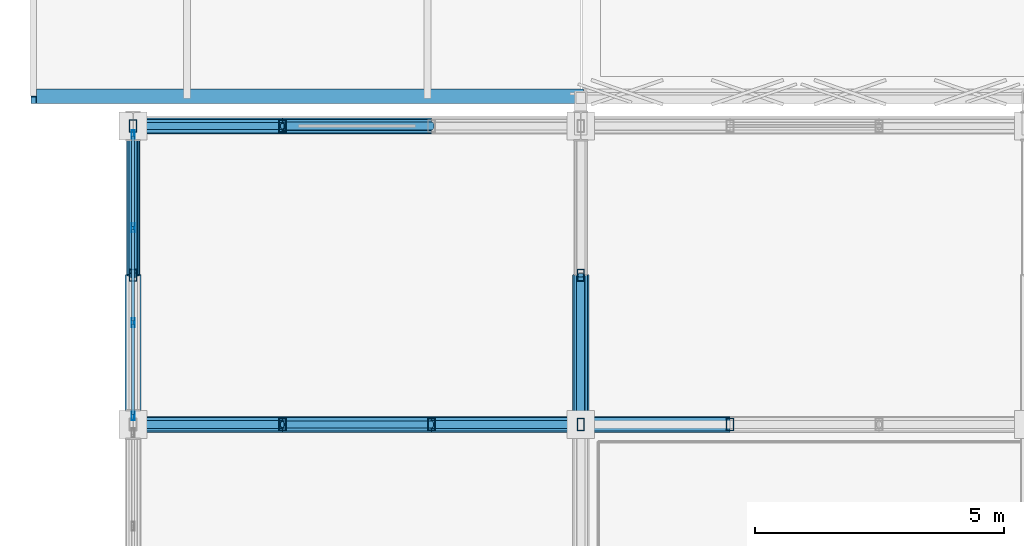
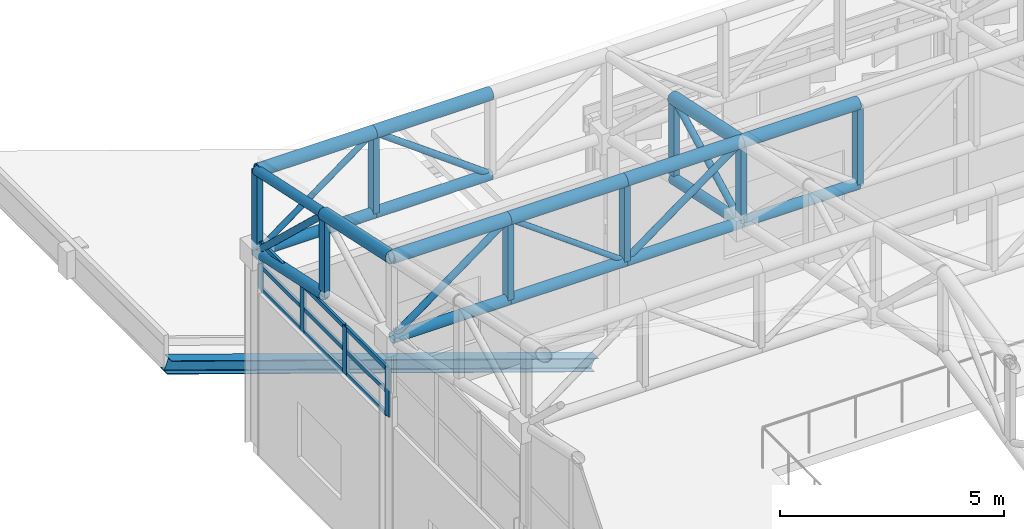
# One storey, part 17 of 112: 46 members, 1 element without a shape of its own.
"""IFC4 building model written with IfcOpenShell, lengths in metres."""

from ifc_helpers import new_model, si_unit, direction, frame, origin, origin_2d, place, context, subcontext, project, spatial, hollow_rectangle, hollow_circle, i_section, extrude, material, material_profile, profile_set, type_object, element, aggregate, save


model = new_model("IFC4")

# Units and contexts
model_context = context("Model", 3, precision=1e-05, world=origin(), true_north=direction((0.0, 1.0)))
body_context = subcontext(model_context, "Body", "Model", "MODEL_VIEW")
ifc_project = project(units=[si_unit("LENGTHUNIT", "METRE"), si_unit("AREAUNIT", "SQUARE_METRE"), si_unit("VOLUMEUNIT", "CUBIC_METRE"), si_unit("PLANEANGLEUNIT", "RADIAN"), si_unit("MASSUNIT", "GRAM", prefix="KILO")], contexts=[model_context])

# Site, building, storey
site_placement = place(None, origin())
site = spatial("IfcSite", under=ifc_project, at=site_placement, CompositionType="ELEMENT")
building_placement = place(site_placement, origin())
building = spatial("IfcBuilding", under=site, at=building_placement, Name="Kaldris Quays Convention Centre", CompositionType="ELEMENT")
storey_placement = place(building_placement, frame((0.0, 0.0, 16.800048828125)))
storey = spatial("IfcBuildingStorey", under=building, at=storey_placement, Name="L03", CompositionType="ELEMENT", Elevation=16.800048828125)

# Curtain wall, members
ifc_material_1 = material(Name="Anodized aluminium AW-6060 and triple glazing", Category="aluminium")
curtain_wall_type = type_object("IfcCurtainWallType", Name="UNITISED CURTAIN WALL CW05", PredefinedType="NOTDEFINED", material=ifc_material_1)
curtain_wall_placement = place(storey_placement, origin())
curtain_wall = element("IfcCurtainWall", 1, at=curtain_wall_placement, inside=storey, type_object=curtain_wall_type, Name="L03 Unitised Curtain Wall CW05 263", PredefinedType="NOTDEFINED")
ifc_material_2 = material(Name="Anodized aluminium AW-6060", Category="aluminium")
ifc_material_profile_1 = material_profile(ifc_material_2, hollow_rectangle(XDim=0.06005859375, YDim=0.179931640625, WallThickness=0.0048828125, at=origin_2d()), Name="RHS 180x60x5")
ifc_profile_set_1 = profile_set([ifc_material_profile_1], Name="Anodized aluminium AW-6060")
member_type_1 = type_object("IfcMemberType", Name="CURTAIN MULLION CWM2", PredefinedType="MULLION", material=ifc_profile_set_1)
member_1_placement = place(storey_placement, frame((20.0, 40.169921875, 4.39501953125), z_axis=(0.0, 0.0, 1.0), x_axis=(-1.0, 0.0, 0.0)))
member_1 = element("IfcMember", 2, at=member_1_placement, type_object=member_type_1, Name="CW05 mullion 1", PredefinedType="MULLION", context=body_context, shape_type="SweptSolid", body=[
    extrude(hollow_rectangle(XDim=0.06005859375, YDim=0.179931640625, WallThickness=0.0048828125, at=origin_2d()), origin(), (0.0, 0.0, 1.0), 1.294921875),
])
member_2_placement = place(storey_placement, frame((20.0, 42.046630859375, 4.39501953125), z_axis=(0.0, 0.0, 1.0), x_axis=(-1.0, 0.0, 0.0)))
member_2 = element("IfcMember", 3, at=member_2_placement, type_object=member_type_1, Name="CW05 mullion 2", PredefinedType="MULLION", context=body_context, shape_type="SweptSolid", body=[
    extrude(hollow_rectangle(XDim=0.06005859375, YDim=0.179931640625, WallThickness=0.0048828125, at=origin_2d()), origin(), (0.0, 0.0, 1.0), 1.294921875),
])
member_3_placement = place(storey_placement, frame((20.0, 43.953369140625, 4.39501953125), z_axis=(0.0, 0.0, 1.0), x_axis=(-1.0, 0.0, 0.0)))
member_3 = element("IfcMember", 4, at=member_3_placement, type_object=member_type_1, Name="CW05 mullion 3", PredefinedType="MULLION", context=body_context, shape_type="SweptSolid", body=[
    extrude(hollow_rectangle(XDim=0.06005859375, YDim=0.179931640625, WallThickness=0.0048828125, at=origin_2d()), origin(), (0.0, 0.0, 1.0), 1.294921875),
])
member_4_placement = place(storey_placement, frame((20.0, 45.830078125, 4.39501953125), z_axis=(0.0, 0.0, 1.0), x_axis=(-1.0, 0.0, 0.0)))
member_4 = element("IfcMember", 5, at=member_4_placement, type_object=member_type_1, Name="CW05 mullion 4", PredefinedType="MULLION", context=body_context, shape_type="SweptSolid", body=[
    extrude(hollow_rectangle(XDim=0.06005859375, YDim=0.179931640625, WallThickness=0.0048828125, at=origin_2d()), origin(), (0.0, 0.0, 1.0), 1.294921875),
])
ifc_material_profile_2 = material_profile(ifc_material_2, hollow_rectangle(XDim=0.06005859375, YDim=0.1201171875, WallThickness=0.00390625, at=origin_2d()), Name="RHS 120x60x4")
ifc_profile_set_2 = profile_set([ifc_material_profile_2], Name="Anodized aluminium AW-6060")
member_type_2 = type_object("IfcMemberType", Name="CURTAIN TRANSOM CWT1", PredefinedType="USERDEFINED", material=ifc_profile_set_2)
member_5_placement = place(storey_placement, frame((20.0, 40.199951171875, 4.425048828125), z_axis=(0.0, 1.0, 0.0), x_axis=(-1.0, 0.0, 0.0)))
member_5 = element("IfcMember", 6, at=member_5_placement, type_object=member_type_2, Name="CW05 transom 1.1", ObjectType="TRANSOM", PredefinedType="USERDEFINED", context=body_context, shape_type="SweptSolid", body=[
    extrude(hollow_rectangle(XDim=0.06005859375, YDim=0.1201171875, WallThickness=0.00390625, at=origin_2d()), origin(), (0.0, 0.0, 1.0), 1.816650390625),
])
member_6_placement = place(storey_placement, frame((20.0, 40.199951171875, 5.04296875), z_axis=(0.0, 1.0, 0.0), x_axis=(-1.0, 0.0, 0.0)))
member_6 = element("IfcMember", 7, at=member_6_placement, type_object=member_type_2, Name="CW05 transom 1.2", ObjectType="TRANSOM", PredefinedType="USERDEFINED", context=body_context, shape_type="SweptSolid", body=[
    extrude(hollow_rectangle(XDim=0.06005859375, YDim=0.1201171875, WallThickness=0.00390625, at=origin_2d()), origin(), (0.0, 0.0, 1.0), 1.816650390625),
])
member_7_placement = place(storey_placement, frame((20.0, 40.199951171875, 5.659912109375), z_axis=(0.0, 1.0, 0.0), x_axis=(-1.0, 0.0, 0.0)))
member_7 = element("IfcMember", 8, at=member_7_placement, type_object=member_type_2, Name="CW05 transom 1.3", ObjectType="TRANSOM", PredefinedType="USERDEFINED", context=body_context, shape_type="SweptSolid", body=[
    extrude(hollow_rectangle(XDim=0.06005859375, YDim=0.1201171875, WallThickness=0.00390625, at=origin_2d()), origin(), (0.0, 0.0, 1.0), 1.816650390625),
])
member_8_placement = place(storey_placement, frame((20.0, 42.07666015625, 4.425048828125), z_axis=(0.0, 1.0, 0.0), x_axis=(-1.0, 0.0, 0.0)))
member_8 = element("IfcMember", 9, at=member_8_placement, type_object=member_type_2, Name="CW05 transom 2.1", ObjectType="TRANSOM", PredefinedType="USERDEFINED", context=body_context, shape_type="SweptSolid", body=[
    extrude(hollow_rectangle(XDim=0.06005859375, YDim=0.1201171875, WallThickness=0.00390625, at=origin_2d()), origin(), (0.0, 0.0, 1.0), 1.8466796875),
])
member_9_placement = place(storey_placement, frame((20.0, 42.07666015625, 5.04296875), z_axis=(0.0, 1.0, 0.0), x_axis=(-1.0, 0.0, 0.0)))
member_9 = element("IfcMember", 10, at=member_9_placement, type_object=member_type_2, Name="CW05 transom 2.2", ObjectType="TRANSOM", PredefinedType="USERDEFINED", context=body_context, shape_type="SweptSolid", body=[
    extrude(hollow_rectangle(XDim=0.06005859375, YDim=0.1201171875, WallThickness=0.00390625, at=origin_2d()), origin(), (0.0, 0.0, 1.0), 1.8466796875),
])
member_10_placement = place(storey_placement, frame((20.0, 42.07666015625, 5.659912109375), z_axis=(0.0, 1.0, 0.0), x_axis=(-1.0, 0.0, 0.0)))
member_10 = element("IfcMember", 11, at=member_10_placement, type_object=member_type_2, Name="CW05 transom 2.3", ObjectType="TRANSOM", PredefinedType="USERDEFINED", context=body_context, shape_type="SweptSolid", body=[
    extrude(hollow_rectangle(XDim=0.06005859375, YDim=0.1201171875, WallThickness=0.00390625, at=origin_2d()), origin(), (0.0, 0.0, 1.0), 1.8466796875),
])
member_11_placement = place(storey_placement, frame((20.0, 43.9833984375, 4.425048828125), z_axis=(0.0, 1.0, 0.0), x_axis=(-1.0, 0.0, 0.0)))
member_11 = element("IfcMember", 12, at=member_11_placement, type_object=member_type_2, Name="CW05 transom 3.1", ObjectType="TRANSOM", PredefinedType="USERDEFINED", context=body_context, shape_type="SweptSolid", body=[
    extrude(hollow_rectangle(XDim=0.06005859375, YDim=0.1201171875, WallThickness=0.00390625, at=origin_2d()), origin(), (0.0, 0.0, 1.0), 1.816650390625),
])
member_12_placement = place(storey_placement, frame((20.0, 43.9833984375, 5.04296875), z_axis=(0.0, 1.0, 0.0), x_axis=(-1.0, 0.0, 0.0)))
member_12 = element("IfcMember", 13, at=member_12_placement, type_object=member_type_2, Name="CW05 transom 3.2", ObjectType="TRANSOM", PredefinedType="USERDEFINED", context=body_context, shape_type="SweptSolid", body=[
    extrude(hollow_rectangle(XDim=0.06005859375, YDim=0.1201171875, WallThickness=0.00390625, at=origin_2d()), origin(), (0.0, 0.0, 1.0), 1.816650390625),
])
member_13_placement = place(storey_placement, frame((20.0, 43.9833984375, 5.659912109375), z_axis=(0.0, 1.0, 0.0), x_axis=(-1.0, 0.0, 0.0)))
member_13 = element("IfcMember", 14, at=member_13_placement, type_object=member_type_2, Name="CW05 transom 3.3", ObjectType="TRANSOM", PredefinedType="USERDEFINED", context=body_context, shape_type="SweptSolid", body=[
    extrude(hollow_rectangle(XDim=0.06005859375, YDim=0.1201171875, WallThickness=0.00390625, at=origin_2d()), origin(), (0.0, 0.0, 1.0), 1.816650390625),
])
aggregate(curtain_wall, [member_1, member_2, member_3, member_4, member_5, member_6, member_7, member_8, member_9, member_10, member_11, member_12, member_13])

# Members
ifc_material_3 = material(Name="Steel S355J2H", Category="steel")
ifc_material_profile_3 = material_profile(ifc_material_3, hollow_circle(Radius=0.161865234375, WallThickness=0.01611328125, at=origin_2d()), Name="CHS 323.9x16")
ifc_profile_set_3 = profile_set([ifc_material_profile_3], Name="Steel S355J2H")
member_type_3 = type_object("IfcMemberType", Name="STRUCTURAL MEMBER SC03", PredefinedType="CHORD", material=ifc_profile_set_3)
for number, where, z_axis, x_axis, name in (
    (15, (20.0, 40.0, 8.810546875), (1.0, 0.0, 0.0), (0.0, 1.0, 0.0), "SF-V3 Top Chord X 64"),
    (16, (23.0, 40.0, 8.810546875), (1.0, 0.0, 0.0), (0.0, 1.0, 0.0), "SF-V3 Top Chord X 65"),
    (17, (26.0, 40.0, 8.810546875), (1.0, 0.0, 0.0), (0.0, 1.0, 0.0), "SF-V3 Top Chord X 66"),
    (18, (29.0, 40.0, 8.810546875), (1.0, 0.0, 0.0), (0.0, 1.0, 0.0), "SF-V3 Top Chord X 67"),
    (19, (20.0, 46.0, 7.530517578125), (1.0, 0.0, 0.0), (0.0, 1.0, 0.0), "SF-V3 Top Chord X 85"),
    (20, (23.0, 46.0, 7.530517578125), (1.0, 0.0, 0.0), (0.0, 1.0, 0.0), "SF-V3 Top Chord X 86"),
):
    element("IfcMember", number, at=place(storey_placement, frame(where, z_axis=z_axis, x_axis=x_axis)), inside=storey, type_object=member_type_3, Name=name, PredefinedType="CHORD", context=body_context, shape_type="SweptSolid", body=[
        extrude(hollow_circle(Radius=0.161865234375, WallThickness=0.01611328125, at=origin_2d()), origin(), (0.0, 0.0, 1.0), 3.0),
    ])
for number, where, z_axis, x_axis, name in (
    (21, (20.0, 40.0, 8.810546875), (0.0, 0.977983741211, -0.20868110103), (-1.0, 0.0, 0.0), "SF-V3 Top Chord Y 114"),
    (22, (29.0, 40.0, 8.810546875), (0.0, 0.977983741211, -0.20868110103), (-1.0, 0.0, 0.0), "SF-V3 Top Chord Y 124"),
):
    element("IfcMember", number, at=place(storey_placement, frame(where, z_axis=z_axis, x_axis=x_axis)), inside=storey, type_object=member_type_3, Name=name, PredefinedType="CHORD", context=body_context, shape_type="SweptSolid", body=[
        extrude(hollow_circle(Radius=0.161865234375, WallThickness=0.01611328125, at=origin_2d()), origin(), (0.0, 0.0, 1.0), 3.067626953125),
    ])
ifc_material_profile_4 = material_profile(ifc_material_3, hollow_circle(Radius=0.136474609375, WallThickness=0.012451171875, at=origin_2d()), Name="CHS 273x12.5")
ifc_profile_set_4 = profile_set([ifc_material_profile_4], Name="Steel S355J2H")
member_type_4 = type_object("IfcMemberType", Name="STRUCTURAL MEMBER SC04", PredefinedType="CHORD", material=ifc_profile_set_4)
for number, where, z_axis, x_axis, name in (
    (23, (20.0, 40.0, 6.6103515625), (1.0, 0.0, 0.0), (0.0, 1.0, 0.0), "SF-V3 Bottom Chord X 64"),
    (24, (23.0, 40.0, 6.6103515625), (1.0, 0.0, 0.0), (0.0, 1.0, 0.0), "SF-V3 Bottom Chord X 65"),
    (25, (26.0, 40.0, 6.6103515625), (1.0, 0.0, 0.0), (0.0, 1.0, 0.0), "SF-V3 Bottom Chord X 66"),
    (26, (29.0, 40.0, 6.6103515625), (1.0, 0.0, 0.0), (0.0, 1.0, 0.0), "SF-V3 Bottom Chord X 67"),
    (27, (20.0, 46.0, 5.33056640625), (1.0, 0.0, 0.0), (0.0, 1.0, 0.0), "SF-V3 Bottom Chord X 85"),
    (28, (23.0, 46.0, 5.33056640625), (1.0, 0.0, 0.0), (0.0, 1.0, 0.0), "SF-V3 Bottom Chord X 86"),
):
    element("IfcMember", number, at=place(storey_placement, frame(where, z_axis=z_axis, x_axis=x_axis)), inside=storey, type_object=member_type_4, Name=name, PredefinedType="CHORD", context=body_context, shape_type="SweptSolid", body=[
        extrude(hollow_circle(Radius=0.136474609375, WallThickness=0.012451171875, at=origin_2d()), origin(), (0.0, 0.0, 1.0), 3.0),
    ])
for number, where, z_axis, x_axis, name in (
    (29, (20.0, 43.0, 5.970458984375), (0.0, 0.977999981478, -0.208604976518), (-1.0, 0.0, 0.0), "SF-V3 Bottom Chord Y 115"),
    (30, (29.0, 40.0, 6.6103515625), (0.0, 0.977999981478, -0.208604976518), (-1.0, 0.0, 0.0), "SF-V3 Bottom Chord Y 124"),
):
    element("IfcMember", number, at=place(storey_placement, frame(where, z_axis=z_axis, x_axis=x_axis)), inside=storey, type_object=member_type_4, Name=name, PredefinedType="CHORD", context=body_context, shape_type="SweptSolid", body=[
        extrude(hollow_circle(Radius=0.136474609375, WallThickness=0.012451171875, at=origin_2d()), origin(), (0.0, 0.0, 1.0), 3.0673828125),
    ])
ifc_material_profile_5 = material_profile(ifc_material_3, hollow_circle(Radius=0.122314453125, WallThickness=0.010009765625, at=origin_2d()), Name="CHS 244.5x10")
ifc_profile_set_5 = profile_set([ifc_material_profile_5], Name="Steel S355J2H")
member_type_5 = type_object("IfcMemberType", Name="STRUCTURAL MEMBER SC05", PredefinedType="CHORD", material=ifc_profile_set_5)
member_14_placement = place(storey_placement, frame((20.0, 43.0, 8.17041015625), z_axis=(0.0, 0.977999981478, -0.208604976518), x_axis=(-1.0, 0.0, 0.0)))
element("IfcMember", 31, at=member_14_placement, inside=storey, type_object=member_type_5, Name="SF-V3 Top Chord Y 115", PredefinedType="CHORD", context=body_context, shape_type="SweptSolid", body=[
    extrude(hollow_circle(Radius=0.122314453125, WallThickness=0.010009765625, at=origin_2d()), origin(), (0.0, 0.0, 1.0), 3.0673828125),
])
ifc_material_profile_6 = material_profile(ifc_material_3, hollow_circle(Radius=0.084228515625, WallThickness=0.008056640625, at=origin_2d()), Name="CHS 168.3x8")
ifc_profile_set_6 = profile_set([ifc_material_profile_6], Name="Steel S355J2H")
member_type_6 = type_object("IfcMemberType", Name="STRUCTURAL MEMBER SWB2", PredefinedType="BRACE", material=ifc_profile_set_6)
for number, where, z_axis, x_axis, name in (
    (32, (20.0, 40.0, 6.6103515625), (0.806379959628, 0.0, 0.591397802423), (0.0, 1.0, 0.0), "SF-V3 Web Diagonal X 64"),
    (33, (26.0, 40.0, 6.6103515625), (0.806379959628, 0.0, 0.591397802423), (0.0, 1.0, 0.0), "SF-V3 Web Diagonal X 66"),
    (34, (26.0, 46.0, 5.33056640625), (-0.80641125493, 0.0, 0.591355128432), (0.0, -1.0, 0.0), "SF-V3 Web Diagonal X 86"),
):
    element("IfcMember", number, at=place(storey_placement, frame(where, z_axis=z_axis, x_axis=x_axis)), inside=storey, type_object=member_type_6, Name=name, PredefinedType="BRACE", context=body_context, shape_type="SweptSolid", body=[
        extrude(hollow_circle(Radius=0.084228515625, WallThickness=0.008056640625, at=origin_2d()), origin(), (0.0, 0.0, 1.0), 3.72021484375),
    ])
member_15_placement = place(storey_placement, frame((20.0, 46.0, 5.33056640625), z_axis=(0.0, -0.72622595523, 0.687456080016), x_axis=(1.0, 0.0, 0.0)))
element("IfcMember", 35, at=member_15_placement, inside=storey, type_object=member_type_6, Name="SF-V3 Web Diagonal Y 115", PredefinedType="BRACE", context=body_context, shape_type="SweptSolid", body=[
    extrude(hollow_circle(Radius=0.084228515625, WallThickness=0.008056640625, at=origin_2d()), origin(), (0.0, 0.0, 1.0), 4.130859375),
])
member_16_placement = place(storey_placement, frame((29.0, 40.0, 6.6103515625), z_axis=(0.0, 0.887209708306, 0.461366376634), x_axis=(-1.0, 0.0, 0.0)))
element("IfcMember", 36, at=member_16_placement, inside=storey, type_object=member_type_6, Name="SF-V3 Web Diagonal Y 124", PredefinedType="BRACE", context=body_context, shape_type="SweptSolid", body=[
    extrude(hollow_circle(Radius=0.084228515625, WallThickness=0.008056640625, at=origin_2d()), origin(), (0.0, 0.0, 1.0), 3.38134765625),
])
ifc_material_profile_7 = material_profile(ifc_material_3, hollow_circle(Radius=0.06982421875, WallThickness=0.00634765625, at=origin_2d()), Name="CHS 139.7x6.3")
ifc_profile_set_7 = profile_set([ifc_material_profile_7], Name="Steel S355J2H")
member_type_7 = type_object("IfcMemberType", Name="STRUCTURAL MEMBER SWB4", PredefinedType="BRACE", material=ifc_profile_set_7)
for number, where, z_axis, x_axis, name in (
    (37, (26.0, 40.0, 6.6103515625), (-0.806379959628, 0.0, 0.591397802423), (0.0, -1.0, 0.0), "SF-V3 Web Diagonal X 65"),
    (38, (20.0, 46.0, 5.33056640625), (0.80641125493, 0.0, 0.591355128432), (0.0, 1.0, 0.0), "SF-V3 Web Diagonal X 85"),
):
    element("IfcMember", number, at=place(storey_placement, frame(where, z_axis=z_axis, x_axis=x_axis)), inside=storey, type_object=member_type_7, Name=name, PredefinedType="BRACE", context=body_context, shape_type="SweptSolid", body=[
        extrude(hollow_circle(Radius=0.06982421875, WallThickness=0.00634765625, at=origin_2d()), origin(), (0.0, 0.0, 1.0), 3.72021484375),
    ])
ifc_material_profile_8 = material_profile(ifc_material_3, hollow_rectangle(XDim=0.14990234375, YDim=0.25, WallThickness=0.010009765625, at=origin_2d()), Name="RHS 250x150x10")
ifc_profile_set_8 = profile_set([ifc_material_profile_8], Name="Steel S355J2H")
member_type_8 = type_object("IfcMemberType", Name="STRUCTURAL MEMBER TTV1", PredefinedType="POST", material=ifc_profile_set_8)
member_17_placement = place(storey_placement, frame((20.0, 43.0, 5.970458984375), z_axis=(0.0, 0.0, 1.0), x_axis=(1.0, 0.0, 0.0)))
element("IfcMember", 39, at=member_17_placement, inside=storey, type_object=member_type_8, Name="SF-V3 Space-Frame Post 10", PredefinedType="POST", context=body_context, shape_type="SweptSolid", body=[
    extrude(hollow_rectangle(XDim=0.14990234375, YDim=0.25, WallThickness=0.010009765625, at=origin_2d()), origin(), (0.0, 0.0, 1.0), 2.199951171875),
])
member_18_placement = place(storey_placement, frame((20.0, 46.0, 5.19384765625), z_axis=(0.0, 0.0, 1.0), x_axis=(1.0, 0.0, 0.0)))
element("IfcMember", 40, at=member_18_placement, inside=storey, type_object=member_type_8, Name="SF-V3 Space-Frame Post 11", PredefinedType="POST", context=body_context, shape_type="SweptSolid", body=[
    extrude(hollow_rectangle(XDim=0.14990234375, YDim=0.25, WallThickness=0.010009765625, at=origin_2d()), origin(), (0.0, 0.0, 1.0), 2.336669921875),
])
member_19_placement = place(storey_placement, frame((23.0, 40.0, 6.6103515625), z_axis=(0.0, 0.0, 1.0), x_axis=(1.0, 0.0, 0.0)))
element("IfcMember", 41, at=member_19_placement, inside=storey, type_object=member_type_8, Name="SF-V3 Space-Frame Post 15", PredefinedType="POST", context=body_context, shape_type="SweptSolid", body=[
    extrude(hollow_rectangle(XDim=0.14990234375, YDim=0.25, WallThickness=0.010009765625, at=origin_2d()), origin(), (0.0, 0.0, 1.0), 2.2001953125),
])
member_20_placement = place(storey_placement, frame((23.0, 46.0, 5.33056640625), z_axis=(0.0, 0.0, 1.0), x_axis=(1.0, 0.0, 0.0)))
element("IfcMember", 42, at=member_20_placement, inside=storey, type_object=member_type_8, Name="SF-V3 Space-Frame Post 16", PredefinedType="POST", context=body_context, shape_type="SweptSolid", body=[
    extrude(hollow_rectangle(XDim=0.14990234375, YDim=0.25, WallThickness=0.010009765625, at=origin_2d()), origin(), (0.0, 0.0, 1.0), 2.199951171875),
])
for number, where, z_axis, x_axis, name in (
    (43, (26.0, 40.0, 6.6103515625), (0.0, 0.0, 1.0), (1.0, 0.0, 0.0), "SF-V3 Space-Frame Post 20"),
    (44, (29.0, 40.0, 6.6103515625), (0.0, 0.0, 1.0), (1.0, 0.0, 0.0), "SF-V3 Space-Frame Post 30"),
):
    element("IfcMember", number, at=place(storey_placement, frame(where, z_axis=z_axis, x_axis=x_axis)), inside=storey, type_object=member_type_8, Name=name, PredefinedType="POST", context=body_context, shape_type="SweptSolid", body=[
        extrude(hollow_rectangle(XDim=0.14990234375, YDim=0.25, WallThickness=0.010009765625, at=origin_2d()), origin(), (0.0, 0.0, 1.0), 2.2001953125),
    ])
member_21_placement = place(storey_placement, frame((29.0, 43.0, 5.970458984375), z_axis=(0.0, 0.0, 1.0), x_axis=(1.0, 0.0, 0.0)))
element("IfcMember", 45, at=member_21_placement, inside=storey, type_object=member_type_8, Name="SF-V3 Space-Frame Post 31", PredefinedType="POST", context=body_context, shape_type="SweptSolid", body=[
    extrude(hollow_rectangle(XDim=0.14990234375, YDim=0.25, WallThickness=0.010009765625, at=origin_2d()), origin(), (0.0, 0.0, 1.0), 2.199951171875),
])
member_22_placement = place(storey_placement, frame((32.0, 40.0, 6.6103515625), z_axis=(0.0, 0.0, 1.0), x_axis=(1.0, 0.0, 0.0)))
element("IfcMember", 46, at=member_22_placement, inside=storey, type_object=member_type_8, Name="SF-V3 Space-Frame Post 36", PredefinedType="POST", context=body_context, shape_type="SweptSolid", body=[
    extrude(hollow_rectangle(XDim=0.14990234375, YDim=0.25, WallThickness=0.010009765625, at=origin_2d()), origin(), (0.0, 0.0, 1.0), 2.2001953125),
])
ifc_material_4 = material(Name="Steel S355J2", Category="steel")
ifc_material_profile_9 = material_profile(ifc_material_4, i_section(OverallWidth=0.300048828125, OverallDepth=0.35009765625, WebThickness=0.010009765625, FlangeThickness=0.017578125, FilletRadius=0.027099609375, at=origin_2d()), Name="HEA 360")
ifc_profile_set_9 = profile_set([ifc_material_profile_9], Name="Steel S355J2")
member_type_9 = type_object("IfcMemberType", Name="STRUCTURAL MEMBER WRF1", PredefinedType="RAFTER", material=ifc_profile_set_9)
member_23_placement = place(storey_placement, frame((29.0, 46.60009765625, -1.199951171875), z_axis=(-0.945518736739, 0.0, 0.325567686474), x_axis=(0.0, -1.0, 0.0)))
element("IfcMember", 47, at=member_23_placement, inside=storey, type_object=member_type_9, Name="WR-WEST Wing Cantilever Rafter 1", PredefinedType="RAFTER", context=body_context, shape_type="SweptSolid", body=[
    extrude(i_section(OverallWidth=0.300048828125, OverallDepth=0.35009765625, WebThickness=0.010009765625, FlangeThickness=0.017578125, FilletRadius=0.027099609375, at=origin_2d()), origin(), (0.0, 0.0, 1.0), 11.6337890625),
])

save(model, "model.ifc")
